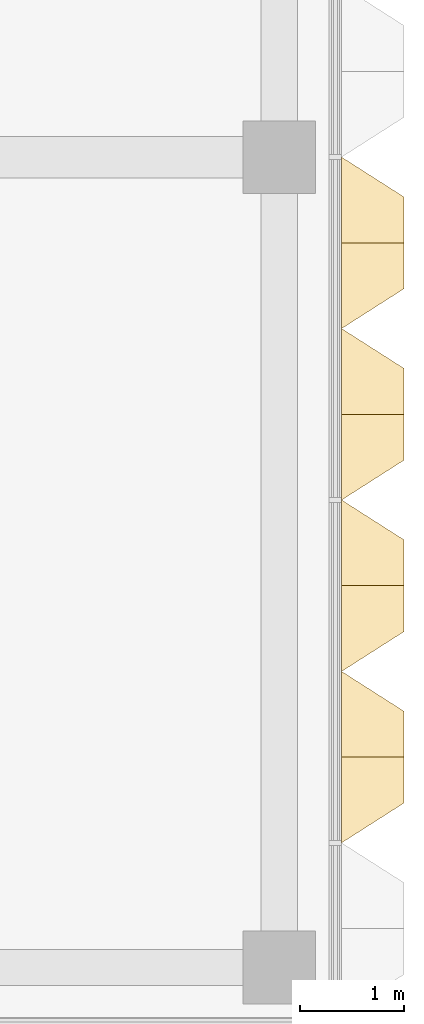
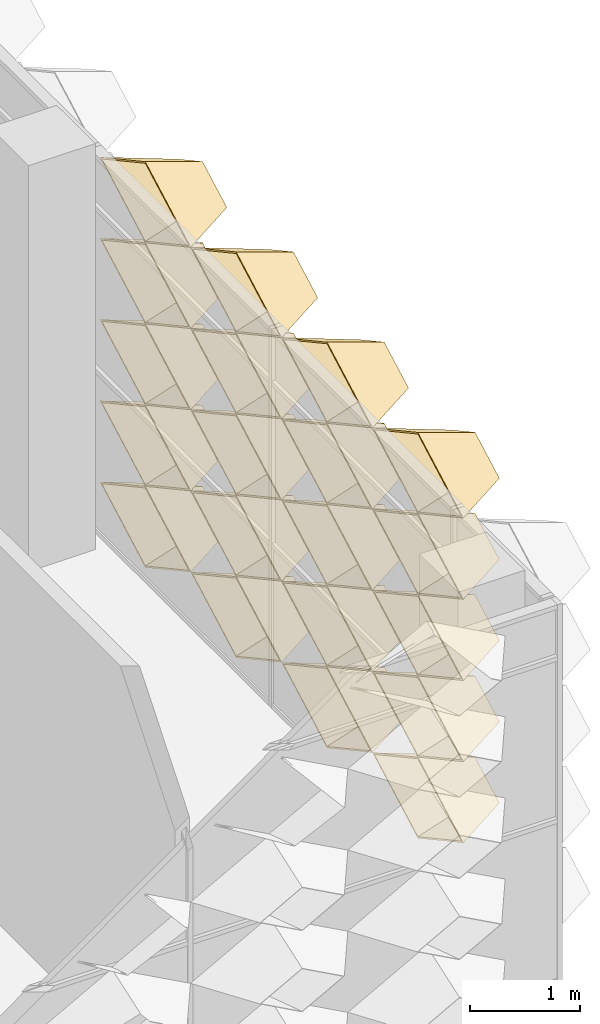
# One storey, part 17 of 28: 20 coverings.
"""IFC4 building model written with IfcOpenShell, lengths in metres."""

from ifc_helpers import new_model, entity, si_unit, direction, frame, origin, place, context, subcontext, project, spatial, material, layer, layer_set, type_object, element, save


model = new_model("IFC4")

# Units and contexts
model_context = context("Model", 3, precision=1e-05, world=origin(), true_north=direction((0.0, 1.0)))
body_context = subcontext(model_context, "Body", "Model", "MODEL_VIEW")
ifc_project = project(units=[si_unit("LENGTHUNIT", "METRE"), si_unit("AREAUNIT", "SQUARE_METRE"), si_unit("VOLUMEUNIT", "CUBIC_METRE"), si_unit("PLANEANGLEUNIT", "RADIAN"), si_unit("MASSUNIT", "GRAM", prefix="KILO")], contexts=[model_context])

# Site, building, storey
site_placement = place(None, origin())
site = spatial("IfcSite", under=ifc_project, at=site_placement, CompositionType="ELEMENT")
building_placement = place(site_placement, origin())
building = spatial("IfcBuilding", under=site, at=building_placement, Name="Lantern Court Research Institute", CompositionType="ELEMENT")
storey_placement = place(building_placement, frame((0.0, 0.0, 36.89990234375)))
storey = spatial("IfcBuildingStorey", under=building, at=storey_placement, Name="L08", CompositionType="ELEMENT", Elevation=36.89990234375)

# Coverings
ifc_material = material(Name="Anodised aluminium", Category="aluminium")
ifc_layer = layer(ifc_material, 0.01611328125)
ifc_layer_set = layer_set([ifc_layer], Name="Anodised aluminium")
covering_type = type_object("IfcCoveringType", Name="Fin cassette 1650 x 900 x 600 aluminium", PredefinedType="CLADDING", material=ifc_layer_set)
covering_1_placement = place(storey_placement, frame((79.800048828125, -5.77490234375, 0.4501953125), z_axis=(1.0, 0.0, 0.0), x_axis=(0.0, 1.0, 0.0)))
cartesian_point_1 = entity("IfcCartesianPoint", [0.824951171875, 0.0])
cartesian_point_2 = entity("IfcCartesianPoint", [0.79150390625, 0.0])
cartesian_point_3 = entity("IfcCartesianPoint", [0.44189453125, 0.0])
cartesian_point_4 = entity("IfcCartesianPoint", [0.43359375, 0.0])
element("IfcCovering", 1, at=covering_1_placement, inside=storey, type_object=covering_type, Name="Fin cassette V5E-L08 1.-3", PredefinedType="CLADDING", context=body_context, shape_type="SweptSolid", body=[
    entity("IfcExtrudedAreaSolidTapered", entity("IfcArbitraryProfileDefWithVoids", "AREA", None, entity("IfcPolyline", [cartesian_point_1, entity("IfcCartesianPoint", [0.0, 0.449951171875]), entity("IfcCartesianPoint", [-0.824951171875, 0.0]), entity("IfcCartesianPoint", [0.0, -0.449951171875]), cartesian_point_1]), [entity("IfcPolyline", [cartesian_point_2, entity("IfcCartesianPoint", [0.0, 0.431884765625]), entity("IfcCartesianPoint", [-0.79150390625, 0.0]), entity("IfcCartesianPoint", [0.0, -0.431884765625]), cartesian_point_2])]), entity("IfcAxis2Placement3D", entity("IfcCartesianPoint", [0.0, 0.0, 0.0])), entity("IfcDirection", [0.0, 0.0, 1.0]), 0.60009765625, entity("IfcArbitraryProfileDefWithVoids", "AREA", None, entity("IfcPolyline", [cartesian_point_3, entity("IfcCartesianPoint", [0.0, 0.240966796875]), entity("IfcCartesianPoint", [-0.44189453125, 0.0]), entity("IfcCartesianPoint", [0.0, -0.240966796875]), cartesian_point_3]), [entity("IfcPolyline", [cartesian_point_4, entity("IfcCartesianPoint", [0.0, 0.236572265625]), entity("IfcCartesianPoint", [-0.43359375, 0.0]), entity("IfcCartesianPoint", [0.0, -0.236572265625]), cartesian_point_4])])),
])
covering_2_placement = place(storey_placement, frame((79.800048828125, -4.125, 0.4501953125), z_axis=(1.0, 0.0, 0.0), x_axis=(0.0, 1.0, 0.0)))
cartesian_point_5 = entity("IfcCartesianPoint", [0.824951171875, 0.0])
cartesian_point_6 = entity("IfcCartesianPoint", [0.79150390625, 0.0])
cartesian_point_7 = entity("IfcCartesianPoint", [0.44189453125, 0.0])
cartesian_point_8 = entity("IfcCartesianPoint", [0.43359375, 0.0])
element("IfcCovering", 2, at=covering_2_placement, inside=storey, type_object=covering_type, Name="Fin cassette V5E-L08 1.-2", PredefinedType="CLADDING", context=body_context, shape_type="SweptSolid", body=[
    entity("IfcExtrudedAreaSolidTapered", entity("IfcArbitraryProfileDefWithVoids", "AREA", None, entity("IfcPolyline", [cartesian_point_5, entity("IfcCartesianPoint", [0.0, 0.449951171875]), entity("IfcCartesianPoint", [-0.824951171875, 0.0]), entity("IfcCartesianPoint", [0.0, -0.449951171875]), cartesian_point_5]), [entity("IfcPolyline", [cartesian_point_6, entity("IfcCartesianPoint", [0.0, 0.431884765625]), entity("IfcCartesianPoint", [-0.79150390625, 0.0]), entity("IfcCartesianPoint", [0.0, -0.431884765625]), cartesian_point_6])]), entity("IfcAxis2Placement3D", entity("IfcCartesianPoint", [0.0, 0.0, 0.0])), entity("IfcDirection", [0.0, 0.0, 1.0]), 0.60009765625, entity("IfcArbitraryProfileDefWithVoids", "AREA", None, entity("IfcPolyline", [cartesian_point_7, entity("IfcCartesianPoint", [0.0, 0.240966796875]), entity("IfcCartesianPoint", [-0.44189453125, 0.0]), entity("IfcCartesianPoint", [0.0, -0.240966796875]), cartesian_point_7]), [entity("IfcPolyline", [cartesian_point_8, entity("IfcCartesianPoint", [0.0, 0.236572265625]), entity("IfcCartesianPoint", [-0.43359375, 0.0]), entity("IfcCartesianPoint", [0.0, -0.236572265625]), cartesian_point_8])])),
])
covering_3_placement = place(storey_placement, frame((79.800048828125, -2.47509765625, 0.4501953125), z_axis=(1.0, 0.0, 0.0), x_axis=(0.0, 1.0, 0.0)))
cartesian_point_9 = entity("IfcCartesianPoint", [0.824951171875, 0.0])
cartesian_point_10 = entity("IfcCartesianPoint", [0.79150390625, 0.0])
cartesian_point_11 = entity("IfcCartesianPoint", [0.44189453125, 0.0])
cartesian_point_12 = entity("IfcCartesianPoint", [0.43359375, 0.0])
element("IfcCovering", 3, at=covering_3_placement, inside=storey, type_object=covering_type, Name="Fin cassette V5E-L08 1.-1", PredefinedType="CLADDING", context=body_context, shape_type="SweptSolid", body=[
    entity("IfcExtrudedAreaSolidTapered", entity("IfcArbitraryProfileDefWithVoids", "AREA", None, entity("IfcPolyline", [cartesian_point_9, entity("IfcCartesianPoint", [0.0, 0.449951171875]), entity("IfcCartesianPoint", [-0.824951171875, 0.0]), entity("IfcCartesianPoint", [0.0, -0.449951171875]), cartesian_point_9]), [entity("IfcPolyline", [cartesian_point_10, entity("IfcCartesianPoint", [0.0, 0.431884765625]), entity("IfcCartesianPoint", [-0.79150390625, 0.0]), entity("IfcCartesianPoint", [0.0, -0.431884765625]), cartesian_point_10])]), entity("IfcAxis2Placement3D", entity("IfcCartesianPoint", [0.0, 0.0, 0.0])), entity("IfcDirection", [0.0, 0.0, 1.0]), 0.60009765625, entity("IfcArbitraryProfileDefWithVoids", "AREA", None, entity("IfcPolyline", [cartesian_point_11, entity("IfcCartesianPoint", [0.0, 0.240966796875]), entity("IfcCartesianPoint", [-0.44189453125, 0.0]), entity("IfcCartesianPoint", [0.0, -0.240966796875]), cartesian_point_11]), [entity("IfcPolyline", [cartesian_point_12, entity("IfcCartesianPoint", [0.0, 0.236572265625]), entity("IfcCartesianPoint", [-0.43359375, 0.0]), entity("IfcCartesianPoint", [0.0, -0.236572265625]), cartesian_point_12])])),
])
covering_4_placement = place(storey_placement, frame((79.800048828125, -0.824951171875, 0.4501953125), z_axis=(1.0, 0.0, 0.0), x_axis=(0.0, 1.0, 0.0)))
cartesian_point_13 = entity("IfcCartesianPoint", [0.824951171875, 0.0])
cartesian_point_14 = entity("IfcCartesianPoint", [0.79150390625, 0.0])
cartesian_point_15 = entity("IfcCartesianPoint", [0.44189453125, 0.0])
cartesian_point_16 = entity("IfcCartesianPoint", [0.43359375, 0.0])
element("IfcCovering", 4, at=covering_4_placement, inside=storey, type_object=covering_type, Name="Fin cassette V5E-L08 1.0", PredefinedType="CLADDING", context=body_context, shape_type="SweptSolid", body=[
    entity("IfcExtrudedAreaSolidTapered", entity("IfcArbitraryProfileDefWithVoids", "AREA", None, entity("IfcPolyline", [cartesian_point_13, entity("IfcCartesianPoint", [0.0, 0.449951171875]), entity("IfcCartesianPoint", [-0.824951171875, 0.0]), entity("IfcCartesianPoint", [0.0, -0.449951171875]), cartesian_point_13]), [entity("IfcPolyline", [cartesian_point_14, entity("IfcCartesianPoint", [0.0, 0.431884765625]), entity("IfcCartesianPoint", [-0.79150390625, 0.0]), entity("IfcCartesianPoint", [0.0, -0.431884765625]), cartesian_point_14])]), entity("IfcAxis2Placement3D", entity("IfcCartesianPoint", [0.0, 0.0, 0.0])), entity("IfcDirection", [0.0, 0.0, 1.0]), 0.60009765625, entity("IfcArbitraryProfileDefWithVoids", "AREA", None, entity("IfcPolyline", [cartesian_point_15, entity("IfcCartesianPoint", [0.0, 0.240966796875]), entity("IfcCartesianPoint", [-0.44189453125, 0.0]), entity("IfcCartesianPoint", [0.0, -0.240966796875]), cartesian_point_15]), [entity("IfcPolyline", [cartesian_point_16, entity("IfcCartesianPoint", [0.0, 0.236572265625]), entity("IfcCartesianPoint", [-0.43359375, 0.0]), entity("IfcCartesianPoint", [0.0, -0.236572265625]), cartesian_point_16])])),
])
covering_5_placement = place(storey_placement, frame((79.800048828125, -5.77490234375, 1.35009765625), z_axis=(1.0, 0.0, 0.0), x_axis=(0.0, 1.0, 0.0)))
cartesian_point_17 = entity("IfcCartesianPoint", [0.824951171875, 0.0])
cartesian_point_18 = entity("IfcCartesianPoint", [0.79150390625, 0.0])
cartesian_point_19 = entity("IfcCartesianPoint", [0.44189453125, 0.0])
cartesian_point_20 = entity("IfcCartesianPoint", [0.43359375, 0.0])
element("IfcCovering", 5, at=covering_5_placement, inside=storey, type_object=covering_type, Name="Fin cassette V5E-L08 2.-3", PredefinedType="CLADDING", context=body_context, shape_type="SweptSolid", body=[
    entity("IfcExtrudedAreaSolidTapered", entity("IfcArbitraryProfileDefWithVoids", "AREA", None, entity("IfcPolyline", [cartesian_point_17, entity("IfcCartesianPoint", [0.0, 0.449951171875]), entity("IfcCartesianPoint", [-0.824951171875, 0.0]), entity("IfcCartesianPoint", [0.0, -0.449951171875]), cartesian_point_17]), [entity("IfcPolyline", [cartesian_point_18, entity("IfcCartesianPoint", [0.0, 0.431884765625]), entity("IfcCartesianPoint", [-0.79150390625, 0.0]), entity("IfcCartesianPoint", [0.0, -0.431884765625]), cartesian_point_18])]), entity("IfcAxis2Placement3D", entity("IfcCartesianPoint", [0.0, 0.0, 0.0])), entity("IfcDirection", [0.0, 0.0, 1.0]), 0.60009765625, entity("IfcArbitraryProfileDefWithVoids", "AREA", None, entity("IfcPolyline", [cartesian_point_19, entity("IfcCartesianPoint", [0.0, 0.240966796875]), entity("IfcCartesianPoint", [-0.44189453125, 0.0]), entity("IfcCartesianPoint", [0.0, -0.240966796875]), cartesian_point_19]), [entity("IfcPolyline", [cartesian_point_20, entity("IfcCartesianPoint", [0.0, 0.236572265625]), entity("IfcCartesianPoint", [-0.43359375, 0.0]), entity("IfcCartesianPoint", [0.0, -0.236572265625]), cartesian_point_20])])),
])
covering_6_placement = place(storey_placement, frame((79.800048828125, -4.125, 1.35009765625), z_axis=(1.0, 0.0, 0.0), x_axis=(0.0, 1.0, 0.0)))
cartesian_point_21 = entity("IfcCartesianPoint", [0.824951171875, 0.0])
cartesian_point_22 = entity("IfcCartesianPoint", [0.79150390625, 0.0])
cartesian_point_23 = entity("IfcCartesianPoint", [0.44189453125, 0.0])
cartesian_point_24 = entity("IfcCartesianPoint", [0.43359375, 0.0])
element("IfcCovering", 6, at=covering_6_placement, inside=storey, type_object=covering_type, Name="Fin cassette V5E-L08 2.-2", PredefinedType="CLADDING", context=body_context, shape_type="SweptSolid", body=[
    entity("IfcExtrudedAreaSolidTapered", entity("IfcArbitraryProfileDefWithVoids", "AREA", None, entity("IfcPolyline", [cartesian_point_21, entity("IfcCartesianPoint", [0.0, 0.449951171875]), entity("IfcCartesianPoint", [-0.824951171875, 0.0]), entity("IfcCartesianPoint", [0.0, -0.449951171875]), cartesian_point_21]), [entity("IfcPolyline", [cartesian_point_22, entity("IfcCartesianPoint", [0.0, 0.431884765625]), entity("IfcCartesianPoint", [-0.79150390625, 0.0]), entity("IfcCartesianPoint", [0.0, -0.431884765625]), cartesian_point_22])]), entity("IfcAxis2Placement3D", entity("IfcCartesianPoint", [0.0, 0.0, 0.0])), entity("IfcDirection", [0.0, 0.0, 1.0]), 0.60009765625, entity("IfcArbitraryProfileDefWithVoids", "AREA", None, entity("IfcPolyline", [cartesian_point_23, entity("IfcCartesianPoint", [0.0, 0.240966796875]), entity("IfcCartesianPoint", [-0.44189453125, 0.0]), entity("IfcCartesianPoint", [0.0, -0.240966796875]), cartesian_point_23]), [entity("IfcPolyline", [cartesian_point_24, entity("IfcCartesianPoint", [0.0, 0.236572265625]), entity("IfcCartesianPoint", [-0.43359375, 0.0]), entity("IfcCartesianPoint", [0.0, -0.236572265625]), cartesian_point_24])])),
])
covering_7_placement = place(storey_placement, frame((79.800048828125, -2.47509765625, 1.35009765625), z_axis=(1.0, 0.0, 0.0), x_axis=(0.0, 1.0, 0.0)))
cartesian_point_25 = entity("IfcCartesianPoint", [0.824951171875, 0.0])
cartesian_point_26 = entity("IfcCartesianPoint", [0.79150390625, 0.0])
cartesian_point_27 = entity("IfcCartesianPoint", [0.44189453125, 0.0])
cartesian_point_28 = entity("IfcCartesianPoint", [0.43359375, 0.0])
element("IfcCovering", 7, at=covering_7_placement, inside=storey, type_object=covering_type, Name="Fin cassette V5E-L08 2.-1", PredefinedType="CLADDING", context=body_context, shape_type="SweptSolid", body=[
    entity("IfcExtrudedAreaSolidTapered", entity("IfcArbitraryProfileDefWithVoids", "AREA", None, entity("IfcPolyline", [cartesian_point_25, entity("IfcCartesianPoint", [0.0, 0.449951171875]), entity("IfcCartesianPoint", [-0.824951171875, 0.0]), entity("IfcCartesianPoint", [0.0, -0.449951171875]), cartesian_point_25]), [entity("IfcPolyline", [cartesian_point_26, entity("IfcCartesianPoint", [0.0, 0.431884765625]), entity("IfcCartesianPoint", [-0.79150390625, 0.0]), entity("IfcCartesianPoint", [0.0, -0.431884765625]), cartesian_point_26])]), entity("IfcAxis2Placement3D", entity("IfcCartesianPoint", [0.0, 0.0, 0.0])), entity("IfcDirection", [0.0, 0.0, 1.0]), 0.60009765625, entity("IfcArbitraryProfileDefWithVoids", "AREA", None, entity("IfcPolyline", [cartesian_point_27, entity("IfcCartesianPoint", [0.0, 0.240966796875]), entity("IfcCartesianPoint", [-0.44189453125, 0.0]), entity("IfcCartesianPoint", [0.0, -0.240966796875]), cartesian_point_27]), [entity("IfcPolyline", [cartesian_point_28, entity("IfcCartesianPoint", [0.0, 0.236572265625]), entity("IfcCartesianPoint", [-0.43359375, 0.0]), entity("IfcCartesianPoint", [0.0, -0.236572265625]), cartesian_point_28])])),
])
covering_8_placement = place(storey_placement, frame((79.800048828125, -0.824951171875, 1.35009765625), z_axis=(1.0, 0.0, 0.0), x_axis=(0.0, 1.0, 0.0)))
cartesian_point_29 = entity("IfcCartesianPoint", [0.824951171875, 0.0])
cartesian_point_30 = entity("IfcCartesianPoint", [0.79150390625, 0.0])
cartesian_point_31 = entity("IfcCartesianPoint", [0.44189453125, 0.0])
cartesian_point_32 = entity("IfcCartesianPoint", [0.43359375, 0.0])
element("IfcCovering", 8, at=covering_8_placement, inside=storey, type_object=covering_type, Name="Fin cassette V5E-L08 2.0", PredefinedType="CLADDING", context=body_context, shape_type="SweptSolid", body=[
    entity("IfcExtrudedAreaSolidTapered", entity("IfcArbitraryProfileDefWithVoids", "AREA", None, entity("IfcPolyline", [cartesian_point_29, entity("IfcCartesianPoint", [0.0, 0.449951171875]), entity("IfcCartesianPoint", [-0.824951171875, 0.0]), entity("IfcCartesianPoint", [0.0, -0.449951171875]), cartesian_point_29]), [entity("IfcPolyline", [cartesian_point_30, entity("IfcCartesianPoint", [0.0, 0.431884765625]), entity("IfcCartesianPoint", [-0.79150390625, 0.0]), entity("IfcCartesianPoint", [0.0, -0.431884765625]), cartesian_point_30])]), entity("IfcAxis2Placement3D", entity("IfcCartesianPoint", [0.0, 0.0, 0.0])), entity("IfcDirection", [0.0, 0.0, 1.0]), 0.60009765625, entity("IfcArbitraryProfileDefWithVoids", "AREA", None, entity("IfcPolyline", [cartesian_point_31, entity("IfcCartesianPoint", [0.0, 0.240966796875]), entity("IfcCartesianPoint", [-0.44189453125, 0.0]), entity("IfcCartesianPoint", [0.0, -0.240966796875]), cartesian_point_31]), [entity("IfcPolyline", [cartesian_point_32, entity("IfcCartesianPoint", [0.0, 0.236572265625]), entity("IfcCartesianPoint", [-0.43359375, 0.0]), entity("IfcCartesianPoint", [0.0, -0.236572265625]), cartesian_point_32])])),
])
covering_9_placement = place(storey_placement, frame((79.800048828125, -5.77490234375, 2.25), z_axis=(1.0, 0.0, 0.0), x_axis=(0.0, 1.0, 0.0)))
cartesian_point_33 = entity("IfcCartesianPoint", [0.824951171875, 0.0])
cartesian_point_34 = entity("IfcCartesianPoint", [0.79150390625, 0.0])
cartesian_point_35 = entity("IfcCartesianPoint", [0.44189453125, 0.0])
cartesian_point_36 = entity("IfcCartesianPoint", [0.43359375, 0.0])
element("IfcCovering", 9, at=covering_9_placement, inside=storey, type_object=covering_type, Name="Fin cassette V5E-L08 3.-3", PredefinedType="CLADDING", context=body_context, shape_type="SweptSolid", body=[
    entity("IfcExtrudedAreaSolidTapered", entity("IfcArbitraryProfileDefWithVoids", "AREA", None, entity("IfcPolyline", [cartesian_point_33, entity("IfcCartesianPoint", [0.0, 0.449951171875]), entity("IfcCartesianPoint", [-0.824951171875, 0.0]), entity("IfcCartesianPoint", [0.0, -0.449951171875]), cartesian_point_33]), [entity("IfcPolyline", [cartesian_point_34, entity("IfcCartesianPoint", [0.0, 0.431884765625]), entity("IfcCartesianPoint", [-0.79150390625, 0.0]), entity("IfcCartesianPoint", [0.0, -0.431884765625]), cartesian_point_34])]), entity("IfcAxis2Placement3D", entity("IfcCartesianPoint", [0.0, 0.0, 0.0])), entity("IfcDirection", [0.0, 0.0, 1.0]), 0.60009765625, entity("IfcArbitraryProfileDefWithVoids", "AREA", None, entity("IfcPolyline", [cartesian_point_35, entity("IfcCartesianPoint", [0.0, 0.240966796875]), entity("IfcCartesianPoint", [-0.44189453125, 0.0]), entity("IfcCartesianPoint", [0.0, -0.240966796875]), cartesian_point_35]), [entity("IfcPolyline", [cartesian_point_36, entity("IfcCartesianPoint", [0.0, 0.236572265625]), entity("IfcCartesianPoint", [-0.43359375, 0.0]), entity("IfcCartesianPoint", [0.0, -0.236572265625]), cartesian_point_36])])),
])
covering_10_placement = place(storey_placement, frame((79.800048828125, -4.125, 2.25), z_axis=(1.0, 0.0, 0.0), x_axis=(0.0, 1.0, 0.0)))
cartesian_point_37 = entity("IfcCartesianPoint", [0.824951171875, 0.0])
cartesian_point_38 = entity("IfcCartesianPoint", [0.79150390625, 0.0])
cartesian_point_39 = entity("IfcCartesianPoint", [0.44189453125, 0.0])
cartesian_point_40 = entity("IfcCartesianPoint", [0.43359375, 0.0])
element("IfcCovering", 10, at=covering_10_placement, inside=storey, type_object=covering_type, Name="Fin cassette V5E-L08 3.-2", PredefinedType="CLADDING", context=body_context, shape_type="SweptSolid", body=[
    entity("IfcExtrudedAreaSolidTapered", entity("IfcArbitraryProfileDefWithVoids", "AREA", None, entity("IfcPolyline", [cartesian_point_37, entity("IfcCartesianPoint", [0.0, 0.449951171875]), entity("IfcCartesianPoint", [-0.824951171875, 0.0]), entity("IfcCartesianPoint", [0.0, -0.449951171875]), cartesian_point_37]), [entity("IfcPolyline", [cartesian_point_38, entity("IfcCartesianPoint", [0.0, 0.431884765625]), entity("IfcCartesianPoint", [-0.79150390625, 0.0]), entity("IfcCartesianPoint", [0.0, -0.431884765625]), cartesian_point_38])]), entity("IfcAxis2Placement3D", entity("IfcCartesianPoint", [0.0, 0.0, 0.0])), entity("IfcDirection", [0.0, 0.0, 1.0]), 0.60009765625, entity("IfcArbitraryProfileDefWithVoids", "AREA", None, entity("IfcPolyline", [cartesian_point_39, entity("IfcCartesianPoint", [0.0, 0.240966796875]), entity("IfcCartesianPoint", [-0.44189453125, 0.0]), entity("IfcCartesianPoint", [0.0, -0.240966796875]), cartesian_point_39]), [entity("IfcPolyline", [cartesian_point_40, entity("IfcCartesianPoint", [0.0, 0.236572265625]), entity("IfcCartesianPoint", [-0.43359375, 0.0]), entity("IfcCartesianPoint", [0.0, -0.236572265625]), cartesian_point_40])])),
])
covering_11_placement = place(storey_placement, frame((79.800048828125, -2.47509765625, 2.25), z_axis=(1.0, 0.0, 0.0), x_axis=(0.0, 1.0, 0.0)))
cartesian_point_41 = entity("IfcCartesianPoint", [0.824951171875, 0.0])
cartesian_point_42 = entity("IfcCartesianPoint", [0.79150390625, 0.0])
cartesian_point_43 = entity("IfcCartesianPoint", [0.44189453125, 0.0])
cartesian_point_44 = entity("IfcCartesianPoint", [0.43359375, 0.0])
element("IfcCovering", 11, at=covering_11_placement, inside=storey, type_object=covering_type, Name="Fin cassette V5E-L08 3.-1", PredefinedType="CLADDING", context=body_context, shape_type="SweptSolid", body=[
    entity("IfcExtrudedAreaSolidTapered", entity("IfcArbitraryProfileDefWithVoids", "AREA", None, entity("IfcPolyline", [cartesian_point_41, entity("IfcCartesianPoint", [0.0, 0.449951171875]), entity("IfcCartesianPoint", [-0.824951171875, 0.0]), entity("IfcCartesianPoint", [0.0, -0.449951171875]), cartesian_point_41]), [entity("IfcPolyline", [cartesian_point_42, entity("IfcCartesianPoint", [0.0, 0.431884765625]), entity("IfcCartesianPoint", [-0.79150390625, 0.0]), entity("IfcCartesianPoint", [0.0, -0.431884765625]), cartesian_point_42])]), entity("IfcAxis2Placement3D", entity("IfcCartesianPoint", [0.0, 0.0, 0.0])), entity("IfcDirection", [0.0, 0.0, 1.0]), 0.60009765625, entity("IfcArbitraryProfileDefWithVoids", "AREA", None, entity("IfcPolyline", [cartesian_point_43, entity("IfcCartesianPoint", [0.0, 0.240966796875]), entity("IfcCartesianPoint", [-0.44189453125, 0.0]), entity("IfcCartesianPoint", [0.0, -0.240966796875]), cartesian_point_43]), [entity("IfcPolyline", [cartesian_point_44, entity("IfcCartesianPoint", [0.0, 0.236572265625]), entity("IfcCartesianPoint", [-0.43359375, 0.0]), entity("IfcCartesianPoint", [0.0, -0.236572265625]), cartesian_point_44])])),
])
covering_12_placement = place(storey_placement, frame((79.800048828125, -0.824951171875, 2.25), z_axis=(1.0, 0.0, 0.0), x_axis=(0.0, 1.0, 0.0)))
cartesian_point_45 = entity("IfcCartesianPoint", [0.824951171875, 0.0])
cartesian_point_46 = entity("IfcCartesianPoint", [0.79150390625, 0.0])
cartesian_point_47 = entity("IfcCartesianPoint", [0.44189453125, 0.0])
cartesian_point_48 = entity("IfcCartesianPoint", [0.43359375, 0.0])
element("IfcCovering", 12, at=covering_12_placement, inside=storey, type_object=covering_type, Name="Fin cassette V5E-L08 3.0", PredefinedType="CLADDING", context=body_context, shape_type="SweptSolid", body=[
    entity("IfcExtrudedAreaSolidTapered", entity("IfcArbitraryProfileDefWithVoids", "AREA", None, entity("IfcPolyline", [cartesian_point_45, entity("IfcCartesianPoint", [0.0, 0.449951171875]), entity("IfcCartesianPoint", [-0.824951171875, 0.0]), entity("IfcCartesianPoint", [0.0, -0.449951171875]), cartesian_point_45]), [entity("IfcPolyline", [cartesian_point_46, entity("IfcCartesianPoint", [0.0, 0.431884765625]), entity("IfcCartesianPoint", [-0.79150390625, 0.0]), entity("IfcCartesianPoint", [0.0, -0.431884765625]), cartesian_point_46])]), entity("IfcAxis2Placement3D", entity("IfcCartesianPoint", [0.0, 0.0, 0.0])), entity("IfcDirection", [0.0, 0.0, 1.0]), 0.60009765625, entity("IfcArbitraryProfileDefWithVoids", "AREA", None, entity("IfcPolyline", [cartesian_point_47, entity("IfcCartesianPoint", [0.0, 0.240966796875]), entity("IfcCartesianPoint", [-0.44189453125, 0.0]), entity("IfcCartesianPoint", [0.0, -0.240966796875]), cartesian_point_47]), [entity("IfcPolyline", [cartesian_point_48, entity("IfcCartesianPoint", [0.0, 0.236572265625]), entity("IfcCartesianPoint", [-0.43359375, 0.0]), entity("IfcCartesianPoint", [0.0, -0.236572265625]), cartesian_point_48])])),
])
covering_13_placement = place(storey_placement, frame((79.800048828125, -5.77490234375, 3.150146484375), z_axis=(1.0, 0.0, 0.0), x_axis=(0.0, 1.0, 0.0)))
cartesian_point_49 = entity("IfcCartesianPoint", [0.824951171875, 0.0])
cartesian_point_50 = entity("IfcCartesianPoint", [0.79150390625, 0.0])
cartesian_point_51 = entity("IfcCartesianPoint", [0.44189453125, 0.0])
cartesian_point_52 = entity("IfcCartesianPoint", [0.43359375, 0.0])
element("IfcCovering", 13, at=covering_13_placement, inside=storey, type_object=covering_type, Name="Fin cassette V5E-L08 4.-3", PredefinedType="CLADDING", context=body_context, shape_type="SweptSolid", body=[
    entity("IfcExtrudedAreaSolidTapered", entity("IfcArbitraryProfileDefWithVoids", "AREA", None, entity("IfcPolyline", [cartesian_point_49, entity("IfcCartesianPoint", [0.0, 0.449951171875]), entity("IfcCartesianPoint", [-0.824951171875, 0.0]), entity("IfcCartesianPoint", [0.0, -0.449951171875]), cartesian_point_49]), [entity("IfcPolyline", [cartesian_point_50, entity("IfcCartesianPoint", [0.0, 0.431884765625]), entity("IfcCartesianPoint", [-0.79150390625, 0.0]), entity("IfcCartesianPoint", [0.0, -0.431884765625]), cartesian_point_50])]), entity("IfcAxis2Placement3D", entity("IfcCartesianPoint", [0.0, 0.0, 0.0])), entity("IfcDirection", [0.0, 0.0, 1.0]), 0.60009765625, entity("IfcArbitraryProfileDefWithVoids", "AREA", None, entity("IfcPolyline", [cartesian_point_51, entity("IfcCartesianPoint", [0.0, 0.240966796875]), entity("IfcCartesianPoint", [-0.44189453125, 0.0]), entity("IfcCartesianPoint", [0.0, -0.240966796875]), cartesian_point_51]), [entity("IfcPolyline", [cartesian_point_52, entity("IfcCartesianPoint", [0.0, 0.236572265625]), entity("IfcCartesianPoint", [-0.43359375, 0.0]), entity("IfcCartesianPoint", [0.0, -0.236572265625]), cartesian_point_52])])),
])
covering_14_placement = place(storey_placement, frame((79.800048828125, -4.125, 3.150146484375), z_axis=(1.0, 0.0, 0.0), x_axis=(0.0, 1.0, 0.0)))
cartesian_point_53 = entity("IfcCartesianPoint", [0.824951171875, 0.0])
cartesian_point_54 = entity("IfcCartesianPoint", [0.79150390625, 0.0])
cartesian_point_55 = entity("IfcCartesianPoint", [0.44189453125, 0.0])
cartesian_point_56 = entity("IfcCartesianPoint", [0.43359375, 0.0])
element("IfcCovering", 14, at=covering_14_placement, inside=storey, type_object=covering_type, Name="Fin cassette V5E-L08 4.-2", PredefinedType="CLADDING", context=body_context, shape_type="SweptSolid", body=[
    entity("IfcExtrudedAreaSolidTapered", entity("IfcArbitraryProfileDefWithVoids", "AREA", None, entity("IfcPolyline", [cartesian_point_53, entity("IfcCartesianPoint", [0.0, 0.449951171875]), entity("IfcCartesianPoint", [-0.824951171875, 0.0]), entity("IfcCartesianPoint", [0.0, -0.449951171875]), cartesian_point_53]), [entity("IfcPolyline", [cartesian_point_54, entity("IfcCartesianPoint", [0.0, 0.431884765625]), entity("IfcCartesianPoint", [-0.79150390625, 0.0]), entity("IfcCartesianPoint", [0.0, -0.431884765625]), cartesian_point_54])]), entity("IfcAxis2Placement3D", entity("IfcCartesianPoint", [0.0, 0.0, 0.0])), entity("IfcDirection", [0.0, 0.0, 1.0]), 0.60009765625, entity("IfcArbitraryProfileDefWithVoids", "AREA", None, entity("IfcPolyline", [cartesian_point_55, entity("IfcCartesianPoint", [0.0, 0.240966796875]), entity("IfcCartesianPoint", [-0.44189453125, 0.0]), entity("IfcCartesianPoint", [0.0, -0.240966796875]), cartesian_point_55]), [entity("IfcPolyline", [cartesian_point_56, entity("IfcCartesianPoint", [0.0, 0.236572265625]), entity("IfcCartesianPoint", [-0.43359375, 0.0]), entity("IfcCartesianPoint", [0.0, -0.236572265625]), cartesian_point_56])])),
])
covering_15_placement = place(storey_placement, frame((79.800048828125, -2.47509765625, 3.150146484375), z_axis=(1.0, 0.0, 0.0), x_axis=(0.0, 1.0, 0.0)))
cartesian_point_57 = entity("IfcCartesianPoint", [0.824951171875, 0.0])
cartesian_point_58 = entity("IfcCartesianPoint", [0.79150390625, 0.0])
cartesian_point_59 = entity("IfcCartesianPoint", [0.44189453125, 0.0])
cartesian_point_60 = entity("IfcCartesianPoint", [0.43359375, 0.0])
element("IfcCovering", 15, at=covering_15_placement, inside=storey, type_object=covering_type, Name="Fin cassette V5E-L08 4.-1", PredefinedType="CLADDING", context=body_context, shape_type="SweptSolid", body=[
    entity("IfcExtrudedAreaSolidTapered", entity("IfcArbitraryProfileDefWithVoids", "AREA", None, entity("IfcPolyline", [cartesian_point_57, entity("IfcCartesianPoint", [0.0, 0.449951171875]), entity("IfcCartesianPoint", [-0.824951171875, 0.0]), entity("IfcCartesianPoint", [0.0, -0.449951171875]), cartesian_point_57]), [entity("IfcPolyline", [cartesian_point_58, entity("IfcCartesianPoint", [0.0, 0.431884765625]), entity("IfcCartesianPoint", [-0.79150390625, 0.0]), entity("IfcCartesianPoint", [0.0, -0.431884765625]), cartesian_point_58])]), entity("IfcAxis2Placement3D", entity("IfcCartesianPoint", [0.0, 0.0, 0.0])), entity("IfcDirection", [0.0, 0.0, 1.0]), 0.60009765625, entity("IfcArbitraryProfileDefWithVoids", "AREA", None, entity("IfcPolyline", [cartesian_point_59, entity("IfcCartesianPoint", [0.0, 0.240966796875]), entity("IfcCartesianPoint", [-0.44189453125, 0.0]), entity("IfcCartesianPoint", [0.0, -0.240966796875]), cartesian_point_59]), [entity("IfcPolyline", [cartesian_point_60, entity("IfcCartesianPoint", [0.0, 0.236572265625]), entity("IfcCartesianPoint", [-0.43359375, 0.0]), entity("IfcCartesianPoint", [0.0, -0.236572265625]), cartesian_point_60])])),
])
covering_16_placement = place(storey_placement, frame((79.800048828125, -0.824951171875, 3.150146484375), z_axis=(1.0, 0.0, 0.0), x_axis=(0.0, 1.0, 0.0)))
cartesian_point_61 = entity("IfcCartesianPoint", [0.824951171875, 0.0])
cartesian_point_62 = entity("IfcCartesianPoint", [0.79150390625, 0.0])
cartesian_point_63 = entity("IfcCartesianPoint", [0.44189453125, 0.0])
cartesian_point_64 = entity("IfcCartesianPoint", [0.43359375, 0.0])
element("IfcCovering", 16, at=covering_16_placement, inside=storey, type_object=covering_type, Name="Fin cassette V5E-L08 4.0", PredefinedType="CLADDING", context=body_context, shape_type="SweptSolid", body=[
    entity("IfcExtrudedAreaSolidTapered", entity("IfcArbitraryProfileDefWithVoids", "AREA", None, entity("IfcPolyline", [cartesian_point_61, entity("IfcCartesianPoint", [0.0, 0.449951171875]), entity("IfcCartesianPoint", [-0.824951171875, 0.0]), entity("IfcCartesianPoint", [0.0, -0.449951171875]), cartesian_point_61]), [entity("IfcPolyline", [cartesian_point_62, entity("IfcCartesianPoint", [0.0, 0.431884765625]), entity("IfcCartesianPoint", [-0.79150390625, 0.0]), entity("IfcCartesianPoint", [0.0, -0.431884765625]), cartesian_point_62])]), entity("IfcAxis2Placement3D", entity("IfcCartesianPoint", [0.0, 0.0, 0.0])), entity("IfcDirection", [0.0, 0.0, 1.0]), 0.60009765625, entity("IfcArbitraryProfileDefWithVoids", "AREA", None, entity("IfcPolyline", [cartesian_point_63, entity("IfcCartesianPoint", [0.0, 0.240966796875]), entity("IfcCartesianPoint", [-0.44189453125, 0.0]), entity("IfcCartesianPoint", [0.0, -0.240966796875]), cartesian_point_63]), [entity("IfcPolyline", [cartesian_point_64, entity("IfcCartesianPoint", [0.0, 0.236572265625]), entity("IfcCartesianPoint", [-0.43359375, 0.0]), entity("IfcCartesianPoint", [0.0, -0.236572265625]), cartesian_point_64])])),
])
covering_17_placement = place(storey_placement, frame((79.800048828125, -5.77490234375, 4.050048828125), z_axis=(1.0, 0.0, 0.0), x_axis=(0.0, 1.0, 0.0)))
cartesian_point_65 = entity("IfcCartesianPoint", [0.824951171875, 0.0])
cartesian_point_66 = entity("IfcCartesianPoint", [0.79150390625, 0.0])
cartesian_point_67 = entity("IfcCartesianPoint", [0.44189453125, 0.0])
cartesian_point_68 = entity("IfcCartesianPoint", [0.43359375, 0.0])
element("IfcCovering", 17, at=covering_17_placement, inside=storey, type_object=covering_type, Name="Fin cassette V5E-L08 5.-3", PredefinedType="CLADDING", context=body_context, shape_type="SweptSolid", body=[
    entity("IfcExtrudedAreaSolidTapered", entity("IfcArbitraryProfileDefWithVoids", "AREA", None, entity("IfcPolyline", [cartesian_point_65, entity("IfcCartesianPoint", [0.0, 0.449951171875]), entity("IfcCartesianPoint", [-0.824951171875, 0.0]), entity("IfcCartesianPoint", [0.0, -0.449951171875]), cartesian_point_65]), [entity("IfcPolyline", [cartesian_point_66, entity("IfcCartesianPoint", [0.0, 0.431884765625]), entity("IfcCartesianPoint", [-0.79150390625, 0.0]), entity("IfcCartesianPoint", [0.0, -0.431884765625]), cartesian_point_66])]), entity("IfcAxis2Placement3D", entity("IfcCartesianPoint", [0.0, 0.0, 0.0])), entity("IfcDirection", [0.0, 0.0, 1.0]), 0.60009765625, entity("IfcArbitraryProfileDefWithVoids", "AREA", None, entity("IfcPolyline", [cartesian_point_67, entity("IfcCartesianPoint", [0.0, 0.240966796875]), entity("IfcCartesianPoint", [-0.44189453125, 0.0]), entity("IfcCartesianPoint", [0.0, -0.240966796875]), cartesian_point_67]), [entity("IfcPolyline", [cartesian_point_68, entity("IfcCartesianPoint", [0.0, 0.236572265625]), entity("IfcCartesianPoint", [-0.43359375, 0.0]), entity("IfcCartesianPoint", [0.0, -0.236572265625]), cartesian_point_68])])),
])
covering_18_placement = place(storey_placement, frame((79.800048828125, -4.125, 4.050048828125), z_axis=(1.0, 0.0, 0.0), x_axis=(0.0, 1.0, 0.0)))
cartesian_point_69 = entity("IfcCartesianPoint", [0.824951171875, 0.0])
cartesian_point_70 = entity("IfcCartesianPoint", [0.79150390625, 0.0])
cartesian_point_71 = entity("IfcCartesianPoint", [0.44189453125, 0.0])
cartesian_point_72 = entity("IfcCartesianPoint", [0.43359375, 0.0])
element("IfcCovering", 18, at=covering_18_placement, inside=storey, type_object=covering_type, Name="Fin cassette V5E-L08 5.-2", PredefinedType="CLADDING", context=body_context, shape_type="SweptSolid", body=[
    entity("IfcExtrudedAreaSolidTapered", entity("IfcArbitraryProfileDefWithVoids", "AREA", None, entity("IfcPolyline", [cartesian_point_69, entity("IfcCartesianPoint", [0.0, 0.449951171875]), entity("IfcCartesianPoint", [-0.824951171875, 0.0]), entity("IfcCartesianPoint", [0.0, -0.449951171875]), cartesian_point_69]), [entity("IfcPolyline", [cartesian_point_70, entity("IfcCartesianPoint", [0.0, 0.431884765625]), entity("IfcCartesianPoint", [-0.79150390625, 0.0]), entity("IfcCartesianPoint", [0.0, -0.431884765625]), cartesian_point_70])]), entity("IfcAxis2Placement3D", entity("IfcCartesianPoint", [0.0, 0.0, 0.0])), entity("IfcDirection", [0.0, 0.0, 1.0]), 0.60009765625, entity("IfcArbitraryProfileDefWithVoids", "AREA", None, entity("IfcPolyline", [cartesian_point_71, entity("IfcCartesianPoint", [0.0, 0.240966796875]), entity("IfcCartesianPoint", [-0.44189453125, 0.0]), entity("IfcCartesianPoint", [0.0, -0.240966796875]), cartesian_point_71]), [entity("IfcPolyline", [cartesian_point_72, entity("IfcCartesianPoint", [0.0, 0.236572265625]), entity("IfcCartesianPoint", [-0.43359375, 0.0]), entity("IfcCartesianPoint", [0.0, -0.236572265625]), cartesian_point_72])])),
])
covering_19_placement = place(storey_placement, frame((79.800048828125, -2.47509765625, 4.050048828125), z_axis=(1.0, 0.0, 0.0), x_axis=(0.0, 1.0, 0.0)))
cartesian_point_73 = entity("IfcCartesianPoint", [0.824951171875, 0.0])
cartesian_point_74 = entity("IfcCartesianPoint", [0.79150390625, 0.0])
cartesian_point_75 = entity("IfcCartesianPoint", [0.44189453125, 0.0])
cartesian_point_76 = entity("IfcCartesianPoint", [0.43359375, 0.0])
element("IfcCovering", 19, at=covering_19_placement, inside=storey, type_object=covering_type, Name="Fin cassette V5E-L08 5.-1", PredefinedType="CLADDING", context=body_context, shape_type="SweptSolid", body=[
    entity("IfcExtrudedAreaSolidTapered", entity("IfcArbitraryProfileDefWithVoids", "AREA", None, entity("IfcPolyline", [cartesian_point_73, entity("IfcCartesianPoint", [0.0, 0.449951171875]), entity("IfcCartesianPoint", [-0.824951171875, 0.0]), entity("IfcCartesianPoint", [0.0, -0.449951171875]), cartesian_point_73]), [entity("IfcPolyline", [cartesian_point_74, entity("IfcCartesianPoint", [0.0, 0.431884765625]), entity("IfcCartesianPoint", [-0.79150390625, 0.0]), entity("IfcCartesianPoint", [0.0, -0.431884765625]), cartesian_point_74])]), entity("IfcAxis2Placement3D", entity("IfcCartesianPoint", [0.0, 0.0, 0.0])), entity("IfcDirection", [0.0, 0.0, 1.0]), 0.60009765625, entity("IfcArbitraryProfileDefWithVoids", "AREA", None, entity("IfcPolyline", [cartesian_point_75, entity("IfcCartesianPoint", [0.0, 0.240966796875]), entity("IfcCartesianPoint", [-0.44189453125, 0.0]), entity("IfcCartesianPoint", [0.0, -0.240966796875]), cartesian_point_75]), [entity("IfcPolyline", [cartesian_point_76, entity("IfcCartesianPoint", [0.0, 0.236572265625]), entity("IfcCartesianPoint", [-0.43359375, 0.0]), entity("IfcCartesianPoint", [0.0, -0.236572265625]), cartesian_point_76])])),
])
covering_20_placement = place(storey_placement, frame((79.800048828125, -0.824951171875, 4.050048828125), z_axis=(1.0, 0.0, 0.0), x_axis=(0.0, 1.0, 0.0)))
cartesian_point_77 = entity("IfcCartesianPoint", [0.824951171875, 0.0])
cartesian_point_78 = entity("IfcCartesianPoint", [0.79150390625, 0.0])
cartesian_point_79 = entity("IfcCartesianPoint", [0.44189453125, 0.0])
cartesian_point_80 = entity("IfcCartesianPoint", [0.43359375, 0.0])
element("IfcCovering", 20, at=covering_20_placement, inside=storey, type_object=covering_type, Name="Fin cassette V5E-L08 5.0", PredefinedType="CLADDING", context=body_context, shape_type="SweptSolid", body=[
    entity("IfcExtrudedAreaSolidTapered", entity("IfcArbitraryProfileDefWithVoids", "AREA", None, entity("IfcPolyline", [cartesian_point_77, entity("IfcCartesianPoint", [0.0, 0.449951171875]), entity("IfcCartesianPoint", [-0.824951171875, 0.0]), entity("IfcCartesianPoint", [0.0, -0.449951171875]), cartesian_point_77]), [entity("IfcPolyline", [cartesian_point_78, entity("IfcCartesianPoint", [0.0, 0.431884765625]), entity("IfcCartesianPoint", [-0.79150390625, 0.0]), entity("IfcCartesianPoint", [0.0, -0.431884765625]), cartesian_point_78])]), entity("IfcAxis2Placement3D", entity("IfcCartesianPoint", [0.0, 0.0, 0.0])), entity("IfcDirection", [0.0, 0.0, 1.0]), 0.60009765625, entity("IfcArbitraryProfileDefWithVoids", "AREA", None, entity("IfcPolyline", [cartesian_point_79, entity("IfcCartesianPoint", [0.0, 0.240966796875]), entity("IfcCartesianPoint", [-0.44189453125, 0.0]), entity("IfcCartesianPoint", [0.0, -0.240966796875]), cartesian_point_79]), [entity("IfcPolyline", [cartesian_point_80, entity("IfcCartesianPoint", [0.0, 0.236572265625]), entity("IfcCartesianPoint", [-0.43359375, 0.0]), entity("IfcCartesianPoint", [0.0, -0.236572265625]), cartesian_point_80])])),
])

save(model, "model.ifc")
